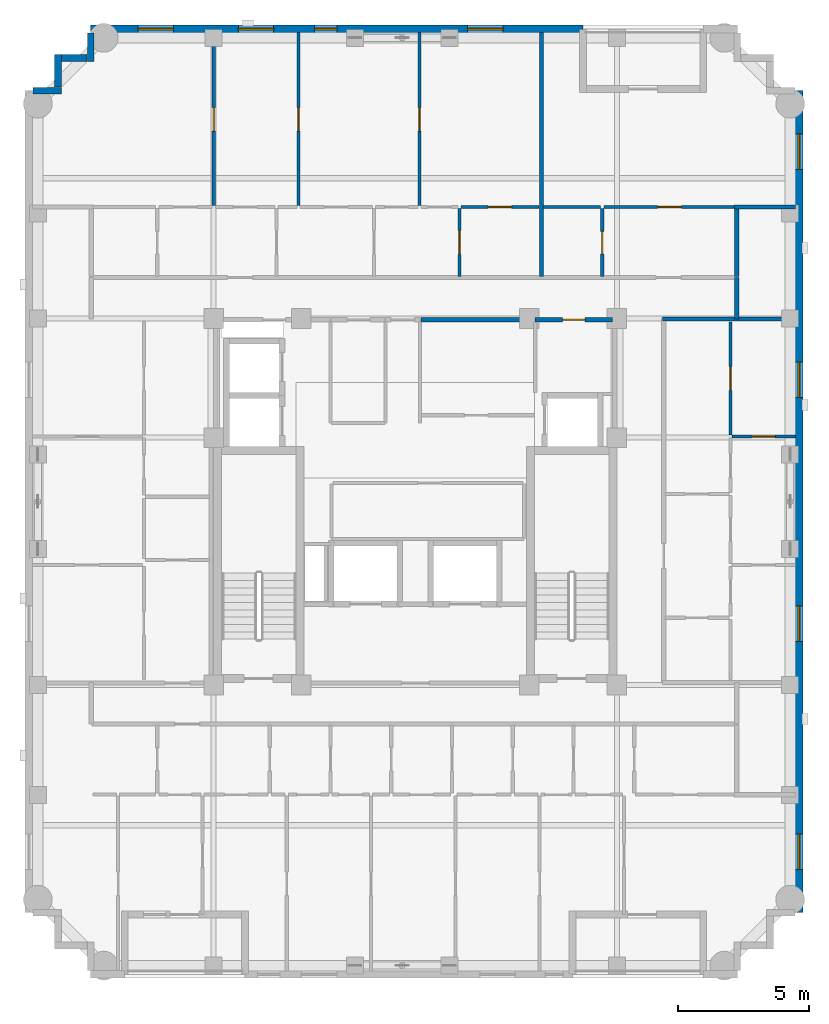
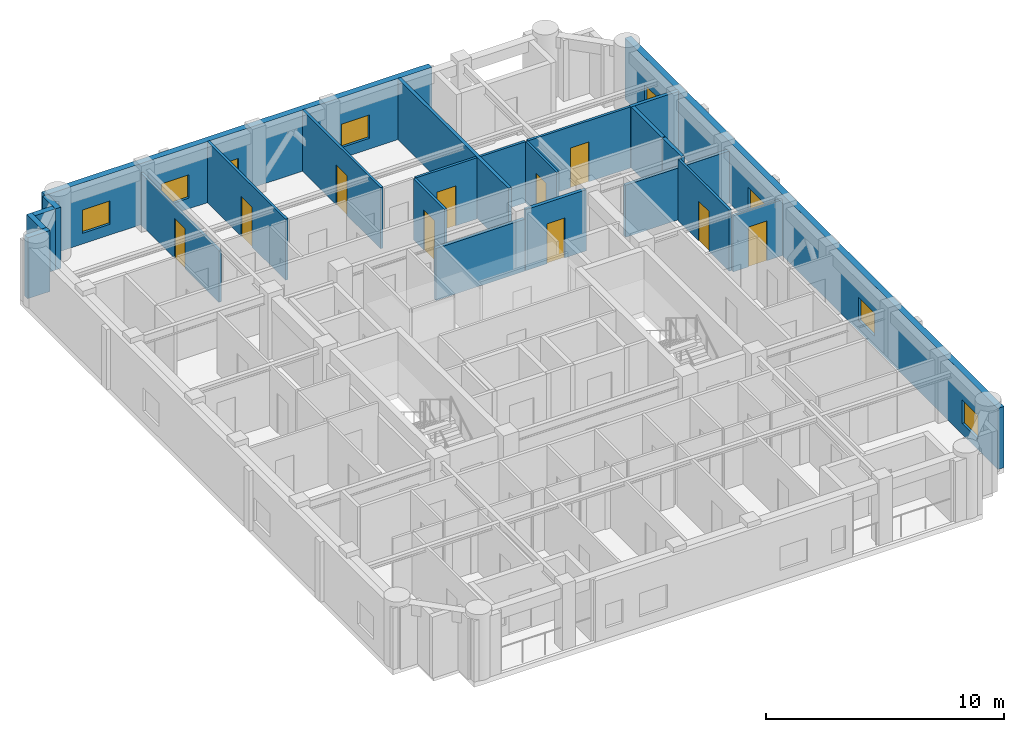
# One storey, part 7 of 11: 23 walls, 10 doors, 8 windows, 18 openings.
"""IFC4 building model written with IfcOpenShell, lengths in metres."""

import ifcopenshell
import ifcopenshell.guid

model = None  # the IFC model being written
_history = None  # IfcOwnerHistory: only IFC2X3 demands one
_inside = {}  # id of a spatial element -> (the spatial element, [elements in it])
_under = {}  # id of a project, library or spatial element -> (it, [spatial elements below it])
_declared = {}  # id of a project -> (the project, [libraries it declares])
_typed = {}  # id of a type object -> (the type object, [elements of that type])
_made_of = {}  # id of a material, layer set ... -> (it, [elements and type objects made of it])


def new_model(schema):
    """Start an empty IFC model of exactly this schema.

    Asked for "IFC4X3", IfcOpenShell would pick the latest addendum, in which some entities
    have other attributes; the version numbers below select the first issue.
    IFC2X3 requires an IfcOwnerHistory on every rooted entity: one is made here for all.
    """
    global model, _history
    if schema == "IFC4X3":
        model = ifcopenshell.file(schema_version=(4, 3, 0, 0))
    else:
        model = ifcopenshell.file(schema=schema)
    _inside.clear()
    _under.clear()
    _declared.clear()
    _typed.clear()
    _made_of.clear()
    _history = None
    if model.schema == "IFC2X3":
        org = make("IfcOrganization", Name="unknown")
        user = make(
            "IfcPersonAndOrganization",
            ThePerson=make("IfcPerson", FamilyName="unknown"),
            TheOrganization=org,
        )
        app = make(
            "IfcApplication",
            ApplicationDeveloper=org,
            Version="unknown",
            ApplicationFullName="unknown",
            ApplicationIdentifier="unknown",
        )
        _history = make(
            "IfcOwnerHistory",
            OwningUser=user,
            OwningApplication=app,
            ChangeAction="ADDED",
            CreationDate=0,
        )
    return model


def make(cls, **values):
    """One entity of the class cls with the attributes given. An attribute that is None is left unset."""
    return model.create_entity(
        cls, **{name: value for name, value in values.items() if value is not None}
    )


def rooted(cls, **values):
    """An entity with a GlobalId (a new one), such as an element, a storey or a relation."""
    return make(cls, GlobalId=ifcopenshell.guid.new(), OwnerHistory=_history, **values)


def si_unit(unit_type, name, prefix=None):
    """IfcSIUnit, for example si_unit("LENGTHUNIT", "METRE", prefix="MILLI")."""
    return make("IfcSIUnit", UnitType=unit_type, Prefix=prefix, Name=name)


def derived_unit(unit_type, elements):
    """IfcDerivedUnit: a product of units, each with its exponent."""
    return make(
        "IfcDerivedUnit",
        Elements=[
            make("IfcDerivedUnitElement", Unit=unit, Exponent=power)
            for unit, power in elements
        ],
        UnitType=unit_type,
    )


def assignment(units):
    """IfcUnitAssignment: the units of a project."""
    return None if units is None else make("IfcUnitAssignment", Units=units)


def point(xyz):
    """IfcCartesianPoint."""
    return None if xyz is None else make("IfcCartesianPoint", Coordinates=xyz)


def direction(xyz):
    """IfcDirection."""
    return None if xyz is None else make("IfcDirection", DirectionRatios=xyz)


def frame(location, z_axis=None, x_axis=None):
    """IfcAxis2Placement3D, a coordinate frame: its origin and axes. An axis left out is left unset."""
    return make(
        "IfcAxis2Placement3D",
        Location=point(location),
        Axis=direction(z_axis),
        RefDirection=direction(x_axis),
    )


def frame_2d(location, x_axis=None):
    """IfcAxis2Placement2D, a coordinate frame in the plane: its origin and x axis."""
    return make(
        "IfcAxis2Placement2D", Location=point(location), RefDirection=direction(x_axis)
    )


def origin():
    """The frame at (0, 0, 0) with its axes left unset."""
    return frame((0.0, 0.0, 0.0))


def place(relative_to, where):
    """IfcLocalPlacement: puts the frame where relative to a parent placement (None: the world)."""
    return make(
        "IfcLocalPlacement", PlacementRelTo=relative_to, RelativePlacement=where
    )


def context(
    kind, dimensions, precision=None, world=None, true_north=None, identifier=None
):
    """IfcGeometricRepresentationContext, for example the 3D "Model" context."""
    return make(
        "IfcGeometricRepresentationContext",
        ContextIdentifier=identifier,
        ContextType=kind,
        CoordinateSpaceDimension=dimensions,
        Precision=precision,
        WorldCoordinateSystem=world,
        TrueNorth=true_north,
    )


def subcontext(parent, identifier, kind, view, scale=None):
    """IfcGeometricRepresentationSubContext, for example "Body" below "Model"."""
    return make(
        "IfcGeometricRepresentationSubContext",
        ContextIdentifier=identifier,
        ContextType=kind,
        ParentContext=parent,
        TargetScale=scale,
        TargetView=view,
    )


def project(units=None, contexts=None):
    """IfcProject with its units and contexts."""
    return rooted(
        "IfcProject",
        Name="project",
        RepresentationContexts=contexts,
        UnitsInContext=assignment(units),
    )


def spatial(cls, under=None, at=None, **own):
    """A site, building, storey or space (cls), placed at a placement, below another one or the project."""
    s = rooted(cls, ObjectPlacement=at, **own)
    if under is not None:
        _under.setdefault(under.id(), (under, []))[1].append(s)
    return s


def profile(cls, at=None, kind="AREA", **sizes):
    """A parametric profile (cls). Its sizes go by their IFC names, for example OverallWidth=200.0."""
    return make(cls, ProfileType=kind, Position=at, **sizes)


def rectangle(**sizes):
    """IfcRectangleProfileDef."""
    return profile("IfcRectangleProfileDef", **sizes)


def extrude(swept, where, along, depth):
    """IfcExtrudedAreaSolid: the profile swept, set in the frame where, extruded along a direction by depth."""
    return make(
        "IfcExtrudedAreaSolid",
        SweptArea=swept,
        Position=where,
        ExtrudedDirection=direction(along),
        Depth=depth,
    )


def shape(context_of_items, identifier, shape_type, items):
    """IfcShapeRepresentation: the items that make up one representation, for example the "Body"."""
    return make(
        "IfcShapeRepresentation",
        ContextOfItems=context_of_items,
        RepresentationIdentifier=identifier,
        RepresentationType=shape_type,
        Items=items,
    )


def material(Name=None, Category=None):
    """IfcMaterial."""
    return make("IfcMaterial", Name=Name, Category=Category)


def layer(
    of_material, thickness, ventilated=None, Name=None, Category=None, Priority=None
):
    """IfcMaterialLayer: one layer of a wall or slab, of a material (None: an air gap)."""
    return make(
        "IfcMaterialLayer",
        Material=of_material,
        LayerThickness=thickness,
        IsVentilated=ventilated,
        Name=Name,
        Category=Category,
        Priority=Priority,
    )


def layer_set(layers, Name=None):
    """IfcMaterialLayerSet."""
    return make("IfcMaterialLayerSet", MaterialLayers=layers, LayerSetName=Name)


def made_of(thing, what):
    """Note that an element or type object is made of a material, layer set ...; save() writes the relation."""
    if what is not None:
        _made_of.setdefault(what.id(), (what, []))[1].append(thing)
    return thing


def type_object(cls, material=None, **own):
    """A type object (cls), such as IfcWallType, which elements share."""
    return made_of(rooted(cls, **own), material)


def element(
    cls,
    number,
    at=None,
    inside=None,
    cuts=None,
    type_object=None,
    material=None,
    context=None,
    identifier="Body",
    shape_type=None,
    held_by="IfcProductDefinitionShape",
    body=None,
    shapes=None,
    **own,
):
    """One element of the class cls, such as IfcWall. Its Tag is "e" and its number.

    at: its placement. inside: the storey or other place that contains it. cuts: it is an
    opening in that element (IfcRelVoidsElement). A single representation is given by context,
    identifier, shape_type and body (its items); several are given by shapes. held_by: the class
    of the entity that holds the representations. save() writes the other relations.
    """
    e = rooted(cls, Tag="e%d" % number, ObjectPlacement=at, **own)
    if body is not None:
        shapes = [shape(context, identifier, shape_type, body)]
    if shapes is not None:
        e.Representation = make(held_by, Representations=shapes)
    if inside is not None:
        _inside.setdefault(inside.id(), (inside, []))[1].append(e)
    if cuts is not None:
        rooted(
            "IfcRelVoidsElement", RelatingBuildingElement=cuts, RelatedOpeningElement=e
        )
    if type_object is not None:
        _typed.setdefault(type_object.id(), (type_object, []))[1].append(e)
    return made_of(e, material)


def fill(opening, filler):
    """IfcRelFillsElement: the door or window that sits in an opening."""
    return rooted(
        "IfcRelFillsElement",
        RelatingOpeningElement=opening,
        RelatedBuildingElement=filler,
    )


def aggregate(whole, parts):
    """IfcRelAggregates: a whole, such as a stair, and the parts it consists of."""
    return rooted("IfcRelAggregates", RelatingObject=whole, RelatedObjects=parts)


def save(model, path):
    """Write the relations noted so far, then the file.

    IfcRelAggregates (storeys below a building ...), IfcRelContainedInSpatialStructure (elements
    in a storey), IfcRelDefinesByType, IfcRelAssociatesMaterial and IfcRelDeclares: one each for
    every whole, place, type object, material and project.
    """
    for whole, parts in _under.values():
        aggregate(whole, parts)
    for where, things in _inside.values():
        rooted(
            "IfcRelContainedInSpatialStructure",
            RelatedElements=things,
            RelatingStructure=where,
        )
    for kind, things in _typed.values():
        rooted("IfcRelDefinesByType", RelatedObjects=things, RelatingType=kind)
    for what, things in _made_of.values():
        rooted("IfcRelAssociatesMaterial", RelatedObjects=things, RelatingMaterial=what)
    for by, libraries in _declared.values():
        rooted("IfcRelDeclares", RelatingContext=by, RelatedDefinitions=libraries)
    model.write(path)


model = new_model("IFC4")

# Units and contexts
model_context = context("Model", 3, precision=1e-05, world=origin(), true_north=direction((0.0, 1.0)))
body_context = subcontext(model_context, "Body", "Model", "MODEL_VIEW")
ifc_project = project(units=[si_unit("LENGTHUNIT", "METRE"), si_unit("AREAUNIT", "SQUARE_METRE"), si_unit("VOLUMEUNIT", "CUBIC_METRE"), si_unit("PLANEANGLEUNIT", "RADIAN"), si_unit("MASSUNIT", "GRAM", prefix="KILO"), derived_unit("THERMALTRANSMITTANCEUNIT", [(si_unit("MASSUNIT", "GRAM", prefix="KILO"), 1), (si_unit("TIMEUNIT", "SECOND"), -3), (si_unit("THERMODYNAMICTEMPERATUREUNIT", "KELVIN"), -1)])], contexts=[model_context])

# Site, building, storey
site_placement = place(None, origin())
site = spatial("IfcSite", under=ifc_project, at=site_placement, CompositionType="ELEMENT")
building_placement = place(site_placement, origin())
building = spatial("IfcBuilding", under=site, at=building_placement, Name="Korrvale Station Residences", CompositionType="ELEMENT")
storey_placement = place(building_placement, frame((0.0, 0.0, 227.5)))
storey = spatial("IfcBuildingStorey", under=building, at=storey_placement, Name="L66", CompositionType="ELEMENT", Elevation=227.5)

# Walls
ifc_material_1 = material(Name="Precast concrete C45/55", Category="concrete")
ifc_layer_1 = layer(ifc_material_1, 0.260009765625, Name="Precast concrete C45/55")
ifc_layer_set_1 = layer_set([ifc_layer_1], Name="Precast concrete C45/55")
wall_type_1 = type_object("IfcWallType", Name="WAL-EXT-LOG260", PredefinedType="SOLIDWALL", material=ifc_layer_set_1)
wall_1_placement = place(storey_placement, frame((10.902099609375, 37.699951171875, 0.0), z_axis=(0.0, 0.0, 1.0), x_axis=(1.0, 0.0, 0.0)))
element("IfcWall", 1, at=wall_1_placement, inside=storey, type_object=wall_type_1, Name="L66 Serrated Corner Precast Step NW-1", PredefinedType="SOLIDWALL", context=body_context, shape_type="SweptSolid", body=[
    extrude(rectangle(XDim=1.077880859375, YDim=0.260009765625, at=frame_2d((0.5390625, 0.0))), origin(), (0.0, 0.0, 1.0), 3.139892578125),
])
wall_2_placement = place(storey_placement, frame((11.85009765625, 37.83203125, 0.0), z_axis=(0.0, 0.0, 1.0), x_axis=(0.0, 1.0, 0.0)))
element("IfcWall", 2, at=wall_2_placement, inside=storey, type_object=wall_type_1, Name="L66 Serrated Corner Precast Step NW-2", PredefinedType="SOLIDWALL", context=body_context, shape_type="SweptSolid", body=[
    extrude(rectangle(XDim=1.248046875, YDim=0.260009765625, at=frame_2d((0.6240234375, 0.0))), origin(), (0.0, 0.0, 1.0), 3.139892578125),
])
wall_3_placement = place(storey_placement, frame((11.98193359375, 38.949951171875, 0.0), z_axis=(0.0, 0.0, 1.0), x_axis=(1.0, 0.0, 0.0)))
element("IfcWall", 3, at=wall_3_placement, inside=storey, type_object=wall_type_1, Name="L66 Serrated Corner Precast Step NW-3", PredefinedType="SOLIDWALL", context=body_context, shape_type="SweptSolid", body=[
    extrude(rectangle(XDim=0.986083984375, YDim=0.260009765625, at=frame_2d((0.4931640625, 0.0))), origin(), (0.0, 0.0, 1.0), 3.139892578125),
])
wall_4_placement = place(storey_placement, frame((13.10009765625, 38.820068359375, 0.0), z_axis=(0.0, 0.0, 1.0), x_axis=(0.0, 1.0, 0.0)))
element("IfcWall", 4, at=wall_4_placement, inside=storey, type_object=wall_type_1, Name="L66 Serrated Corner Precast Step NW-4", PredefinedType="SOLIDWALL", context=body_context, shape_type="SweptSolid", body=[
    extrude(rectangle(XDim=1.077880859375, YDim=0.260009765625, at=frame_2d((0.5390625, 0.0))), origin(), (0.0, 0.0, 1.0), 3.139892578125),
])

# Wall, openings, windows
ifc_layer_2 = layer(ifc_material_1, 0.300048828125, Name="Precast concrete C45/55")
ifc_layer_set_2 = layer_set([ifc_layer_2], Name="Precast concrete C45/55")
wall_type_2 = type_object("IfcWallType", Name="WAL-EXT-PC300", PredefinedType="SOLIDWALL", material=ifc_layer_set_2)
wall_5_placement = place(storey_placement, frame((13.10009765625, 40.050048828125, 0.0), z_axis=(0.0, 0.0, 1.0), x_axis=(1.0, 0.0, 0.0)))
wall_5 = element("IfcWall", 5, at=wall_5_placement, inside=storey, type_object=wall_type_2, Name="L66 North Exterior Precast Wall 1", PredefinedType="SOLIDWALL", context=body_context, shape_type="SweptSolid", body=[
    extrude(rectangle(XDim=18.7998046875, YDim=0.300048828125, at=frame_2d((9.39990234375, 0.0))), origin(), (0.0, 0.0, 1.0), 3.139892578125),
])
opening_1_placement = place(wall_5_placement, frame((1.805908203125, 0.0, 0.550048828125)))
opening_1 = element("IfcOpeningElement", 6, at=opening_1_placement, cuts=wall_5, Name="Opening W-10", PredefinedType="OPENING", context=body_context, shape_type="SweptSolid", body=[
    extrude(rectangle(XDim=1.35009765625, YDim=1.199951171875, at=frame_2d((0.675048828125, 0.60009765625))), frame((0.0, 0.16015625, 0.0), z_axis=(0.0, -1.0, 0.0), x_axis=(1.0, 0.0, 0.0)), (0.0, 0.0, 1.0), 0.320068359375),
])
opening_2_placement = place(wall_5_placement, frame((5.64111328125, 0.0, 0.550048828125)))
opening_2 = element("IfcOpeningElement", 7, at=opening_2_placement, cuts=wall_5, Name="Opening W-10", PredefinedType="OPENING", context=body_context, shape_type="SweptSolid", body=[
    extrude(rectangle(XDim=1.35009765625, YDim=1.199951171875, at=frame_2d((0.675048828125, 0.60009765625))), frame((0.0, 0.16015625, 0.0), z_axis=(0.0, -1.0, 0.0), x_axis=(1.0, 0.0, 0.0)), (0.0, 0.0, 1.0), 0.320068359375),
])
opening_3_placement = place(wall_5_placement, frame((8.550048828125, 0.0, 0.550048828125)))
opening_3 = element("IfcOpeningElement", 8, at=opening_3_placement, cuts=wall_5, Name="Opening W-11", PredefinedType="OPENING", context=body_context, shape_type="SweptSolid", body=[
    extrude(rectangle(XDim=0.85009765625, YDim=1.199951171875, at=frame_2d((0.425048828125, 0.60009765625))), frame((0.0, 0.16015625, 0.0), z_axis=(0.0, -1.0, 0.0), x_axis=(1.0, 0.0, 0.0)), (0.0, 0.0, 1.0), 0.320068359375),
])
opening_4_placement = place(wall_5_placement, frame((14.39990234375, 0.0, 0.550048828125)))
opening_4 = element("IfcOpeningElement", 9, at=opening_4_placement, cuts=wall_5, Name="Opening W-10", PredefinedType="OPENING", context=body_context, shape_type="SweptSolid", body=[
    extrude(rectangle(XDim=1.35009765625, YDim=1.199951171875, at=frame_2d((0.675048828125, 0.60009765625))), frame((0.0, 0.16015625, 0.0), z_axis=(0.0, -1.0, 0.0), x_axis=(1.0, 0.0, 0.0)), (0.0, 0.0, 1.0), 0.320068359375),
])
ifc_material_2 = material(Name="Thermally broken aluminium frame with triple low-e glazing", Category="aluminium")
window_type_1 = type_object("IfcWindowType", Name="WIN-W10", PartitioningType="SINGLE_PANEL", PredefinedType="WINDOW", material=ifc_material_2)
window_1_placement = place(opening_1_placement, origin())
window_1 = element("IfcWindow", 10, at=window_1_placement, inside=storey, type_object=window_type_1, Name="L66 Punched Window 08", OverallHeight=1.199951171875, OverallWidth=1.35009765625, PartitioningType="SINGLE_PANEL", PredefinedType="WINDOW", context=body_context, shape_type="SweptSolid", body=[
    extrude(rectangle(XDim=1.35009765625, YDim=1.199951171875, at=frame_2d((0.675048828125, 0.60009765625))), frame((0.0, 0.030029296875, 0.0), z_axis=(0.0, -1.0, 0.0), x_axis=(1.0, 0.0, 0.0)), (0.0, 0.0, 1.0), 0.06005859375),
])
fill(opening_1, window_1)
window_2_placement = place(opening_2_placement, origin())
window_2 = element("IfcWindow", 11, at=window_2_placement, inside=storey, type_object=window_type_1, Name="L66 Punched Window 09", OverallHeight=1.199951171875, OverallWidth=1.35009765625, PartitioningType="SINGLE_PANEL", PredefinedType="WINDOW", context=body_context, shape_type="SweptSolid", body=[
    extrude(rectangle(XDim=1.35009765625, YDim=1.199951171875, at=frame_2d((0.675048828125, 0.60009765625))), frame((0.0, 0.030029296875, 0.0), z_axis=(0.0, -1.0, 0.0), x_axis=(1.0, 0.0, 0.0)), (0.0, 0.0, 1.0), 0.06005859375),
])
fill(opening_2, window_2)
window_3_placement = place(opening_4_placement, origin())
window_3 = element("IfcWindow", 12, at=window_3_placement, inside=storey, type_object=window_type_1, Name="L66 Punched Window 11", OverallHeight=1.199951171875, OverallWidth=1.35009765625, PartitioningType="SINGLE_PANEL", PredefinedType="WINDOW", context=body_context, shape_type="SweptSolid", body=[
    extrude(rectangle(XDim=1.35009765625, YDim=1.199951171875, at=frame_2d((0.675048828125, 0.60009765625))), frame((0.0, 0.030029296875, 0.0), z_axis=(0.0, -1.0, 0.0), x_axis=(1.0, 0.0, 0.0)), (0.0, 0.0, 1.0), 0.06005859375),
])
fill(opening_4, window_3)
window_type_2 = type_object("IfcWindowType", Name="WIN-W11", PartitioningType="SINGLE_PANEL", PredefinedType="WINDOW", material=ifc_material_2)
window_4_placement = place(opening_3_placement, origin())
window_4 = element("IfcWindow", 13, at=window_4_placement, inside=storey, type_object=window_type_2, Name="L66 Punched Window 10", OverallHeight=1.199951171875, OverallWidth=0.85009765625, PartitioningType="SINGLE_PANEL", PredefinedType="WINDOW", context=body_context, shape_type="SweptSolid", body=[
    extrude(rectangle(XDim=0.85009765625, YDim=1.199951171875, at=frame_2d((0.425048828125, 0.60009765625))), frame((0.0, 0.030029296875, 0.0), z_axis=(0.0, -1.0, 0.0), x_axis=(1.0, 0.0, 0.0)), (0.0, 0.0, 1.0), 0.06005859375),
])
fill(opening_3, window_4)

wall_6_placement = place(storey_placement, frame((40.14990234375, 37.699951171875, 0.0), z_axis=(0.0, 0.0, 1.0), x_axis=(0.0, -1.0, 0.0)))
wall_6 = element("IfcWall", 14, at=wall_6_placement, inside=storey, type_object=wall_type_2, Name="L66 East Exterior Precast Wall 1", PredefinedType="SOLIDWALL", context=body_context, shape_type="SweptSolid", body=[
    extrude(rectangle(XDim=31.39990234375, YDim=0.300048828125, at=frame_2d((15.699951171875, 0.0))), origin(), (0.0, 0.0, 1.0), 3.139892578125),
])
opening_5_placement = place(wall_6_placement, frame((28.39599609375, 0.0, 0.550048828125)))
opening_5 = element("IfcOpeningElement", 15, at=opening_5_placement, cuts=wall_6, Name="Opening W-10", PredefinedType="OPENING", context=body_context, shape_type="SweptSolid", body=[
    extrude(rectangle(XDim=1.35009765625, YDim=1.199951171875, at=frame_2d((0.675048828125, 0.60009765625))), frame((0.0, 0.16015625, 0.0), z_axis=(0.0, -1.0, 0.0), x_axis=(1.0, 0.0, 0.0)), (0.0, 0.0, 1.0), 0.320068359375),
])
opening_6_placement = place(wall_6_placement, frame((1.653076171875, 0.0, 0.550048828125)))
opening_6 = element("IfcOpeningElement", 16, at=opening_6_placement, cuts=wall_6, Name="Opening W-10", PredefinedType="OPENING", context=body_context, shape_type="SweptSolid", body=[
    extrude(rectangle(XDim=1.35009765625, YDim=1.199951171875, at=frame_2d((0.675048828125, 0.60009765625))), frame((0.0, 0.16015625, 0.0), z_axis=(0.0, -1.0, 0.0), x_axis=(1.0, 0.0, 0.0)), (0.0, 0.0, 1.0), 0.320068359375),
])
opening_7_placement = place(wall_6_placement, frame((19.68310546875, 0.0, 0.550048828125)))
opening_7 = element("IfcOpeningElement", 17, at=opening_7_placement, cuts=wall_6, Name="Opening W-10", PredefinedType="OPENING", context=body_context, shape_type="SweptSolid", body=[
    extrude(rectangle(XDim=1.35009765625, YDim=1.199951171875, at=frame_2d((0.675048828125, 0.60009765625))), frame((0.0, 0.16015625, 0.0), z_axis=(0.0, -1.0, 0.0), x_axis=(1.0, 0.0, 0.0)), (0.0, 0.0, 1.0), 0.320068359375),
])
opening_8_placement = place(wall_6_placement, frame((10.366943359375, 0.0, 0.550048828125)))
opening_8 = element("IfcOpeningElement", 18, at=opening_8_placement, cuts=wall_6, Name="Opening W-10", PredefinedType="OPENING", context=body_context, shape_type="SweptSolid", body=[
    extrude(rectangle(XDim=1.35009765625, YDim=1.199951171875, at=frame_2d((0.675048828125, 0.60009765625))), frame((0.0, 0.16015625, 0.0), z_axis=(0.0, -1.0, 0.0), x_axis=(1.0, 0.0, 0.0)), (0.0, 0.0, 1.0), 0.320068359375),
])
window_5_placement = place(opening_5_placement, origin())
window_5 = element("IfcWindow", 19, at=window_5_placement, inside=storey, type_object=window_type_1, Name="L66 Punched Window 07", OverallHeight=1.199951171875, OverallWidth=1.35009765625, PartitioningType="SINGLE_PANEL", PredefinedType="WINDOW", context=body_context, shape_type="SweptSolid", body=[
    extrude(rectangle(XDim=1.35009765625, YDim=1.199951171875, at=frame_2d((0.675048828125, 0.60009765625))), frame((0.0, 0.030029296875, 0.0), z_axis=(0.0, -1.0, 0.0), x_axis=(1.0, 0.0, 0.0)), (0.0, 0.0, 1.0), 0.06005859375),
])
fill(opening_5, window_5)
window_6_placement = place(opening_6_placement, origin())
window_6 = element("IfcWindow", 20, at=window_6_placement, inside=storey, type_object=window_type_1, Name="L66 Punched Window 12", OverallHeight=1.199951171875, OverallWidth=1.35009765625, PartitioningType="SINGLE_PANEL", PredefinedType="WINDOW", context=body_context, shape_type="SweptSolid", body=[
    extrude(rectangle(XDim=1.35009765625, YDim=1.199951171875, at=frame_2d((0.675048828125, 0.60009765625))), frame((0.0, 0.030029296875, 0.0), z_axis=(0.0, -1.0, 0.0), x_axis=(1.0, 0.0, 0.0)), (0.0, 0.0, 1.0), 0.06005859375),
])
fill(opening_6, window_6)
window_7_placement = place(opening_7_placement, origin())
window_7 = element("IfcWindow", 21, at=window_7_placement, inside=storey, type_object=window_type_1, Name="L66 Punched Window 15", OverallHeight=1.199951171875, OverallWidth=1.35009765625, PartitioningType="SINGLE_PANEL", PredefinedType="WINDOW", context=body_context, shape_type="SweptSolid", body=[
    extrude(rectangle(XDim=1.35009765625, YDim=1.199951171875, at=frame_2d((0.675048828125, 0.60009765625))), frame((0.0, 0.030029296875, 0.0), z_axis=(0.0, -1.0, 0.0), x_axis=(1.0, 0.0, 0.0)), (0.0, 0.0, 1.0), 0.06005859375),
])
fill(opening_7, window_7)
window_8_placement = place(opening_8_placement, origin())
window_8 = element("IfcWindow", 22, at=window_8_placement, inside=storey, type_object=window_type_1, Name="L66 Punched Window 16", OverallHeight=1.199951171875, OverallWidth=1.35009765625, PartitioningType="SINGLE_PANEL", PredefinedType="WINDOW", context=body_context, shape_type="SweptSolid", body=[
    extrude(rectangle(XDim=1.35009765625, YDim=1.199951171875, at=frame_2d((0.675048828125, 0.60009765625))), frame((0.0, 0.030029296875, 0.0), z_axis=(0.0, -1.0, 0.0), x_axis=(1.0, 0.0, 0.0)), (0.0, 0.0, 1.0), 0.06005859375),
])
fill(opening_8, window_8)

# Wall, opening, door
ifc_material_3 = material(Name="Acoustic steel-stud gypsum board partition", Category="steel")
ifc_layer_3 = layer(ifc_material_3, 0.1201171875, Name="Acoustic steel-stud gypsum board partition")
ifc_layer_set_3 = layer_set([ifc_layer_3], Name="Acoustic steel-stud gypsum board partition")
wall_type_3 = type_object("IfcWallType", Name="WAL-PART-125", PredefinedType="PARTITIONING", material=ifc_layer_set_3)
wall_7_placement = place(storey_placement, frame((27.18994140625, 30.60009765625, 0.0), z_axis=(0.0, 0.0, 1.0), x_axis=(0.0, 1.0, 0.0)))
wall_7 = element("IfcWall", 23, at=wall_7_placement, inside=storey, type_object=wall_type_3, Name="L66 Suite Partition U02-V34", PredefinedType="PARTITIONING", context=body_context, shape_type="SweptSolid", body=[
    extrude(rectangle(XDim=2.599853515625, YDim=0.1201171875, at=frame_2d((1.2998046875, 0.0))), origin(), (0.0, 0.0, 1.0), 3.139892578125),
])
opening_9_placement = place(wall_7_placement, frame((0.85009765625, 0.0, 0.0)))
opening_9 = element("IfcOpeningElement", 24, at=opening_9_placement, cuts=wall_7, Name="Opening DI-900", PredefinedType="OPENING", context=body_context, shape_type="SweptSolid", body=[
    extrude(rectangle(XDim=0.89990234375, YDim=2.050048828125, at=frame_2d((0.449951171875, 1.02490234375))), frame((0.0, 0.070068359375, 0.0), z_axis=(0.0, -1.0, 0.0), x_axis=(1.0, 0.0, 0.0)), (0.0, 0.0, 1.0), 0.14013671875),
])
ifc_material_4 = material(Name="Painted solid-core timber interior room door", Category="wood")
door_type_1 = type_object("IfcDoorType", Name="DR-INT-900", OperationType="NOTDEFINED", PredefinedType="DOOR", material=ifc_material_4)
door_1_placement = place(opening_9_placement, origin())
door_1 = element("IfcDoor", 25, at=door_1_placement, inside=storey, type_object=door_type_1, Name="L66 Apartment 2BR L66-U02 Storage Closet 2 Door", OperationType="SINGLE_SWING_LEFT", OverallHeight=2.050048828125, OverallWidth=0.89990234375, PredefinedType="DOOR", context=body_context, shape_type="SweptSolid", body=[
    extrude(rectangle(XDim=0.89990234375, YDim=2.050048828125, at=frame_2d((0.449951171875, 1.02490234375))), frame((0.0, 0.02490234375, 0.0), z_axis=(0.0, -1.0, 0.0), x_axis=(1.0, 0.0, 0.0)), (0.0, 0.0, 1.0), 0.050048828125),
])
fill(opening_9, door_1)

wall_8_placement = place(storey_placement, frame((27.25, 33.260009765625, 0.0), z_axis=(0.0, 0.0, 1.0), x_axis=(1.0, 0.0, 0.0)))
wall_8 = element("IfcWall", 26, at=wall_8_placement, inside=storey, type_object=wall_type_3, Name="L66 Suite Partition U02-H48", PredefinedType="PARTITIONING", context=body_context, shape_type="SweptSolid", body=[
    extrude(rectangle(XDim=2.967041015625, YDim=0.1201171875, at=frame_2d((1.4833984375, 0.0))), origin(), (0.0, 0.0, 1.0), 3.139892578125),
])
opening_10_placement = place(wall_8_placement, frame((1.032958984375, 0.0, 0.0)))
opening_10 = element("IfcOpeningElement", 27, at=opening_10_placement, cuts=wall_8, Name="Opening DI-900", PredefinedType="OPENING", context=body_context, shape_type="SweptSolid", body=[
    extrude(rectangle(XDim=0.89990234375, YDim=2.050048828125, at=frame_2d((0.449951171875, 1.02490234375))), frame((0.0, 0.070068359375, 0.0), z_axis=(0.0, -1.0, 0.0), x_axis=(1.0, 0.0, 0.0)), (0.0, 0.0, 1.0), 0.14013671875),
])
door_2_placement = place(opening_10_placement, origin())
door_2 = element("IfcDoor", 28, at=door_2_placement, inside=storey, type_object=door_type_1, Name="L66 Apartment 2BR L66-U02 Storage Closet 3 Door", OperationType="SINGLE_SWING_RIGHT", OverallHeight=2.050048828125, OverallWidth=0.89990234375, PredefinedType="DOOR", context=body_context, shape_type="SweptSolid", body=[
    extrude(rectangle(XDim=0.89990234375, YDim=2.050048828125, at=frame_2d((0.449951171875, 1.02490234375))), frame((0.0, 0.02490234375, 0.0), z_axis=(0.0, -1.0, 0.0), x_axis=(1.0, 0.0, 0.0)), (0.0, 0.0, 1.0), 0.050048828125),
])
fill(opening_10, door_2)

wall_9_placement = place(storey_placement, frame((17.800048828125, 33.320068359375, 0.0), z_axis=(0.0, 0.0, 1.0), x_axis=(0.0, 1.0, 0.0)))
wall_9 = element("IfcWall", 29, at=wall_9_placement, inside=storey, type_object=wall_type_3, Name="L66 Suite Partition U02-V56", PredefinedType="PARTITIONING", context=body_context, shape_type="SweptSolid", body=[
    extrude(rectangle(XDim=6.599853515625, YDim=0.1201171875, at=frame_2d((3.2998046875, 0.0))), origin(), (0.0, 0.0, 1.0), 2.66796875),
])
opening_11_placement = place(wall_9_placement, frame((2.8349609375, 0.0, 0.0)))
opening_11 = element("IfcOpeningElement", 30, at=opening_11_placement, cuts=wall_9, Name="Opening DI-900", PredefinedType="OPENING", context=body_context, shape_type="SweptSolid", body=[
    extrude(rectangle(XDim=0.89990234375, YDim=2.050048828125, at=frame_2d((0.449951171875, 1.02490234375))), frame((0.0, 0.070068359375, 0.0), z_axis=(0.0, -1.0, 0.0), x_axis=(1.0, 0.0, 0.0)), (0.0, 0.0, 1.0), 0.14013671875),
])
door_3_placement = place(opening_11_placement, origin())
door_3 = element("IfcDoor", 31, at=door_3_placement, inside=storey, type_object=door_type_1, Name="L66 Apartment 2BR L66-U02 Living and Dining Room Door", OperationType="SINGLE_SWING_LEFT", OverallHeight=2.050048828125, OverallWidth=0.89990234375, PredefinedType="DOOR", context=body_context, shape_type="SweptSolid", body=[
    extrude(rectangle(XDim=0.89990234375, YDim=2.050048828125, at=frame_2d((0.449951171875, 1.02490234375))), frame((0.0, 0.02490234375, 0.0), z_axis=(0.0, -1.0, 0.0), x_axis=(1.0, 0.0, 0.0)), (0.0, 0.0, 1.0), 0.050048828125),
])
fill(opening_11, door_3)

wall_10_placement = place(storey_placement, frame((21.037109375, 33.320068359375, 0.0), z_axis=(0.0, 0.0, 1.0), x_axis=(0.0, 1.0, 0.0)))
wall_10 = element("IfcWall", 32, at=wall_10_placement, inside=storey, type_object=wall_type_3, Name="L66 Suite Partition U02-V67", PredefinedType="PARTITIONING", context=body_context, shape_type="SweptSolid", body=[
    extrude(rectangle(XDim=6.599853515625, YDim=0.1201171875, at=frame_2d((3.2998046875, 0.0))), origin(), (0.0, 0.0, 1.0), 3.139892578125),
])
opening_12_placement = place(wall_10_placement, frame((2.8349609375, 0.0, 0.0)))
opening_12 = element("IfcOpeningElement", 33, at=opening_12_placement, cuts=wall_10, Name="Opening DI-900", PredefinedType="OPENING", context=body_context, shape_type="SweptSolid", body=[
    extrude(rectangle(XDim=0.89990234375, YDim=2.050048828125, at=frame_2d((0.449951171875, 1.02490234375))), frame((0.0, 0.070068359375, 0.0), z_axis=(0.0, -1.0, 0.0), x_axis=(1.0, 0.0, 0.0)), (0.0, 0.0, 1.0), 0.14013671875),
])
door_4_placement = place(opening_12_placement, origin())
door_4 = element("IfcDoor", 34, at=door_4_placement, inside=storey, type_object=door_type_1, Name="L66 Apartment 2BR L66-U02 Formal Dining Room Door", OperationType="SINGLE_SWING_RIGHT", OverallHeight=2.050048828125, OverallWidth=0.89990234375, PredefinedType="DOOR", context=body_context, shape_type="SweptSolid", body=[
    extrude(rectangle(XDim=0.89990234375, YDim=2.050048828125, at=frame_2d((0.449951171875, 1.02490234375))), frame((0.0, 0.02490234375, 0.0), z_axis=(0.0, -1.0, 0.0), x_axis=(1.0, 0.0, 0.0)), (0.0, 0.0, 1.0), 0.050048828125),
])
fill(opening_12, door_4)

wall_11_placement = place(storey_placement, frame((25.656982421875, 33.320068359375, 0.0), z_axis=(0.0, 0.0, 1.0), x_axis=(0.0, 1.0, 0.0)))
wall_11 = element("IfcWall", 35, at=wall_11_placement, inside=storey, type_object=wall_type_3, Name="L66 Suite Partition U02-V78", PredefinedType="PARTITIONING", context=body_context, shape_type="SweptSolid", body=[
    extrude(rectangle(XDim=6.599853515625, YDim=0.1201171875, at=frame_2d((3.2998046875, 0.0))), origin(), (0.0, 0.0, 1.0), 3.139892578125),
])
opening_13_placement = place(wall_11_placement, frame((2.8349609375, 0.0, 0.0)))
opening_13 = element("IfcOpeningElement", 36, at=opening_13_placement, cuts=wall_11, Name="Opening DI-900", PredefinedType="OPENING", context=body_context, shape_type="SweptSolid", body=[
    extrude(rectangle(XDim=0.89990234375, YDim=2.050048828125, at=frame_2d((0.449951171875, 1.02490234375))), frame((0.0, 0.070068359375, 0.0), z_axis=(0.0, -1.0, 0.0), x_axis=(1.0, 0.0, 0.0)), (0.0, 0.0, 1.0), 0.14013671875),
])
door_5_placement = place(opening_13_placement, origin())
door_5 = element("IfcDoor", 37, at=door_5_placement, inside=storey, type_object=door_type_1, Name="L66 Apartment 2BR L66-U02 Bedroom 1 Door", OperationType="SINGLE_SWING_LEFT", OverallHeight=2.050048828125, OverallWidth=0.89990234375, PredefinedType="DOOR", context=body_context, shape_type="SweptSolid", body=[
    extrude(rectangle(XDim=0.89990234375, YDim=2.050048828125, at=frame_2d((0.449951171875, 1.02490234375))), frame((0.0, 0.02490234375, 0.0), z_axis=(0.0, -1.0, 0.0), x_axis=(1.0, 0.0, 0.0)), (0.0, 0.0, 1.0), 0.050048828125),
])
fill(opening_13, door_5)

wall_12_placement = place(storey_placement, frame((32.639892578125, 30.60009765625, 0.0), z_axis=(0.0, 0.0, 1.0), x_axis=(0.0, 1.0, 0.0)))
wall_12 = element("IfcWall", 38, at=wall_12_placement, inside=storey, type_object=wall_type_3, Name="L66 Suite Partition U03-V01", PredefinedType="PARTITIONING", context=body_context, shape_type="SweptSolid", body=[
    extrude(rectangle(XDim=2.599853515625, YDim=0.1201171875, at=frame_2d((1.2998046875, 0.0))), origin(), (0.0, 0.0, 1.0), 3.139892578125),
])
opening_14_placement = place(wall_12_placement, frame((0.8701171875, 0.0, 0.0)))
opening_14 = element("IfcOpeningElement", 39, at=opening_14_placement, cuts=wall_12, Name="Opening DB-860", PredefinedType="OPENING", context=body_context, shape_type="SweptSolid", body=[
    extrude(rectangle(XDim=0.860107421875, YDim=2.050048828125, at=frame_2d((0.43017578125, 1.02490234375))), frame((0.0, 0.070068359375, 0.0), z_axis=(0.0, -1.0, 0.0), x_axis=(1.0, 0.0, 0.0)), (0.0, 0.0, 1.0), 0.14013671875),
])
ifc_material_5 = material(Name="Moisture-resistant solid-core bathroom door", Category="timber")
door_type_2 = type_object("IfcDoorType", Name="DR-BATH-860", OperationType="NOTDEFINED", PredefinedType="DOOR", material=ifc_material_5)
door_6_placement = place(opening_14_placement, origin())
door_6 = element("IfcDoor", 40, at=door_6_placement, inside=storey, type_object=door_type_2, Name="L66 Studio Apartment L66-U03 Bathroom Door", OperationType="SINGLE_SWING_RIGHT", OverallHeight=2.050048828125, OverallWidth=0.860107421875, PredefinedType="DOOR", context=body_context, shape_type="SweptSolid", body=[
    extrude(rectangle(XDim=0.860107421875, YDim=2.050048828125, at=frame_2d((0.43017578125, 1.02490234375))), frame((0.0, 0.02490234375, 0.0), z_axis=(0.0, -1.0, 0.0), x_axis=(1.0, 0.0, 0.0)), (0.0, 0.0, 1.0), 0.050048828125),
])
fill(opening_14, door_6)

# Wall
wall_13_placement = place(storey_placement, frame((30.376953125, 33.260009765625, 0.0), z_axis=(0.0, 0.0, 1.0), x_axis=(1.0, 0.0, 0.0)))
element("IfcWall", 41, at=wall_13_placement, inside=storey, type_object=wall_type_3, Name="L66 Suite Partition U03-H02", PredefinedType="PARTITIONING", context=body_context, shape_type="SweptSolid", body=[
    extrude(rectangle(XDim=2.203125, YDim=0.1201171875, at=frame_2d((1.1015625, 0.0))), origin(), (0.0, 0.0, 1.0), 3.139892578125),
])

# Wall, opening, door
wall_14_placement = place(storey_placement, frame((32.699951171875, 33.260009765625, 0.0), z_axis=(0.0, 0.0, 1.0), x_axis=(1.0, 0.0, 0.0)))
wall_14 = element("IfcWall", 42, at=wall_14_placement, inside=storey, type_object=wall_type_3, Name="L66 Suite Partition U03-H12", PredefinedType="PARTITIONING", context=body_context, shape_type="SweptSolid", body=[
    extrude(rectangle(XDim=5.02001953125, YDim=0.1201171875, at=frame_2d((2.510009765625, 0.0))), origin(), (0.0, 0.0, 1.0), 3.139892578125),
])
opening_15_placement = place(wall_14_placement, frame((2.06005859375, 0.0, 0.0)))
opening_15 = element("IfcOpeningElement", 43, at=opening_15_placement, cuts=wall_14, Name="Opening DI-900", PredefinedType="OPENING", context=body_context, shape_type="SweptSolid", body=[
    extrude(rectangle(XDim=0.89990234375, YDim=2.050048828125, at=frame_2d((0.449951171875, 1.02490234375))), frame((0.0, 0.070068359375, 0.0), z_axis=(0.0, -1.0, 0.0), x_axis=(1.0, 0.0, 0.0)), (0.0, 0.0, 1.0), 0.14013671875),
])
door_7_placement = place(opening_15_placement, origin())
door_7 = element("IfcDoor", 44, at=door_7_placement, inside=storey, type_object=door_type_1, Name="L66 Studio Apartment L66-U03 Kitchen Door", OperationType="SINGLE_SWING_LEFT", OverallHeight=2.050048828125, OverallWidth=0.89990234375, PredefinedType="DOOR", context=body_context, shape_type="SweptSolid", body=[
    extrude(rectangle(XDim=0.89990234375, YDim=2.050048828125, at=frame_2d((0.449951171875, 1.02490234375))), frame((0.0, 0.02490234375, 0.0), z_axis=(0.0, -1.0, 0.0), x_axis=(1.0, 0.0, 0.0)), (0.0, 0.0, 1.0), 0.050048828125),
])
fill(opening_15, door_7)

wall_15_placement = place(storey_placement, frame((37.5400390625, 24.552001953125, 0.0), z_axis=(0.0, 0.0, 1.0), x_axis=(0.0, 1.0, 0.0)))
wall_15 = element("IfcWall", 45, at=wall_15_placement, inside=storey, type_object=wall_type_3, Name="L66 Suite Partition U05-V05", PredefinedType="PARTITIONING", context=body_context, shape_type="SweptSolid", body=[
    extrude(rectangle(XDim=4.30810546875, YDim=0.1201171875, at=frame_2d((2.154052734375, 0.0))), origin(), (0.0, 0.0, 1.0), 3.139892578125),
])
opening_16_placement = place(wall_15_placement, frame((1.7041015625, 0.0, 0.0)))
opening_16 = element("IfcOpeningElement", 46, at=opening_16_placement, cuts=wall_15, Name="Opening DI-900", PredefinedType="OPENING", context=body_context, shape_type="SweptSolid", body=[
    extrude(rectangle(XDim=0.89990234375, YDim=2.050048828125, at=frame_2d((0.449951171875, 1.02490234375))), frame((0.0, 0.070068359375, 0.0), z_axis=(0.0, -1.0, 0.0), x_axis=(1.0, 0.0, 0.0)), (0.0, 0.0, 1.0), 0.14013671875),
])
door_8_placement = place(opening_16_placement, origin())
door_8 = element("IfcDoor", 47, at=door_8_placement, inside=storey, type_object=door_type_1, Name="L66 Apartment 2BR L66-U05 Wardrobe Storage Room Door", OperationType="SINGLE_SWING_LEFT", OverallHeight=2.050048828125, OverallWidth=0.89990234375, PredefinedType="DOOR", context=body_context, shape_type="SweptSolid", body=[
    extrude(rectangle(XDim=0.89990234375, YDim=2.050048828125, at=frame_2d((0.449951171875, 1.02490234375))), frame((0.0, 0.02490234375, 0.0), z_axis=(0.0, -1.0, 0.0), x_axis=(1.0, 0.0, 0.0)), (0.0, 0.0, 1.0), 0.050048828125),
])
fill(opening_16, door_8)

wall_16_placement = place(storey_placement, frame((37.60009765625, 24.491943359375, 0.0), z_axis=(0.0, 0.0, 1.0), x_axis=(1.0, 0.0, 0.0)))
wall_16 = element("IfcWall", 48, at=wall_16_placement, inside=storey, type_object=wall_type_3, Name="L66 Suite Partition U05-H45", PredefinedType="PARTITIONING", context=body_context, shape_type="SweptSolid", body=[
    extrude(rectangle(XDim=2.419921875, YDim=0.1201171875, at=frame_2d((1.2099609375, 0.0))), origin(), (0.0, 0.0, 1.0), 2.8779296875),
])
opening_17_placement = place(wall_16_placement, frame((0.7451171875, 0.0, 0.0)))
opening_17 = element("IfcOpeningElement", 49, at=opening_17_placement, cuts=wall_16, Name="Opening DI-900", PredefinedType="OPENING", context=body_context, shape_type="SweptSolid", body=[
    extrude(rectangle(XDim=0.89990234375, YDim=2.050048828125, at=frame_2d((0.449951171875, 1.02490234375))), frame((0.0, 0.070068359375, 0.0), z_axis=(0.0, -1.0, 0.0), x_axis=(1.0, 0.0, 0.0)), (0.0, 0.0, 1.0), 0.14013671875),
])
door_9_placement = place(opening_17_placement, origin())
door_9 = element("IfcDoor", 50, at=door_9_placement, inside=storey, type_object=door_type_1, Name="L66 Apartment 2BR L66-U05 Living and Dining Room Door", OperationType="SINGLE_SWING_RIGHT", OverallHeight=2.050048828125, OverallWidth=0.89990234375, PredefinedType="DOOR", context=body_context, shape_type="SweptSolid", body=[
    extrude(rectangle(XDim=0.89990234375, YDim=2.050048828125, at=frame_2d((0.449951171875, 1.02490234375))), frame((0.0, 0.02490234375, 0.0), z_axis=(0.0, -1.0, 0.0), x_axis=(1.0, 0.0, 0.0)), (0.0, 0.0, 1.0), 0.050048828125),
])
fill(opening_17, door_9)

ifc_material_6 = material(Name="Fire-rated twin-stud gypsum and mineral wool shaftwall assembly", Category="gypsum")
ifc_layer_4 = layer(ifc_material_6, 0.159912109375, Name="Fire-rated twin-stud gypsum and mineral wool shaftwall assembly")
ifc_layer_set_4 = layer_set([ifc_layer_4], Name="Fire-rated twin-stud gypsum and mineral wool shaftwall assembly")
wall_type_4 = type_object("IfcWallType", Name="WAL-PART-200", PredefinedType="PARTITIONING", material=ifc_layer_set_4)
wall_17_placement = place(storey_placement, frame((30.080078125, 28.949951171875, 0.0), z_axis=(0.0, 0.0, 1.0), x_axis=(1.0, 0.0, 0.0)))
wall_17 = element("IfcWall", 51, at=wall_17_placement, inside=storey, type_object=wall_type_4, Name="L66 Core Partition CW-CS-N", PredefinedType="PARTITIONING", context=body_context, shape_type="SweptSolid", body=[
    extrude(rectangle(XDim=2.9599609375, YDim=0.159912109375, at=frame_2d((1.47998046875, 0.0))), origin(), (0.0, 0.0, 1.0), 3.139892578125),
])
opening_18_placement = place(wall_17_placement, frame((1.044921875, 0.0, 0.0)))
opening_18 = element("IfcOpeningElement", 52, at=opening_18_placement, cuts=wall_17, Name="Opening DB-860", PredefinedType="OPENING", context=body_context, shape_type="SweptSolid", body=[
    extrude(rectangle(XDim=0.860107421875, YDim=2.050048828125, at=frame_2d((0.43017578125, 1.02490234375))), frame((0.0, 0.08984375, 0.0), z_axis=(0.0, -1.0, 0.0), x_axis=(1.0, 0.0, 0.0)), (0.0, 0.0, 1.0), 0.179931640625),
])
door_10_placement = place(opening_18_placement, origin())
door_10 = element("IfcDoor", 53, at=door_10_placement, inside=storey, type_object=door_type_2, Name="L66 Parcel Room Door", OperationType="SINGLE_SWING_LEFT", OverallHeight=2.050048828125, OverallWidth=0.860107421875, PredefinedType="DOOR", context=body_context, shape_type="SweptSolid", body=[
    extrude(rectangle(XDim=0.860107421875, YDim=2.050048828125, at=frame_2d((0.43017578125, 1.02490234375))), frame((0.0, 0.02490234375, 0.0), z_axis=(0.0, -1.0, 0.0), x_axis=(1.0, 0.0, 0.0)), (0.0, 0.0, 1.0), 0.050048828125),
])
fill(opening_18, door_10)

# Walls
wall_18_placement = place(storey_placement, frame((25.719970703125, 28.949951171875, 0.0), z_axis=(0.0, 0.0, 1.0), x_axis=(1.0, 0.0, 0.0)))
element("IfcWall", 54, at=wall_18_placement, inside=storey, type_object=wall_type_4, Name="L66 Core Partition CW-FPLE-N", PredefinedType="PARTITIONING", context=body_context, shape_type="SweptSolid", body=[
    extrude(rectangle(XDim=4.320068359375, YDim=0.159912109375, at=frame_2d((2.16015625, 0.0))), origin(), (0.0, 0.0, 1.0), 2.66796875),
])
wall_19_placement = place(storey_placement, frame((37.780029296875, 28.97998046875, 0.0), z_axis=(0.0, 0.0, 1.0), x_axis=(0.0, 1.0, 0.0)))
element("IfcWall", 55, at=wall_19_placement, inside=storey, type_object=wall_type_4, Name="L66 Corridor North East Cap", PredefinedType="PARTITIONING", context=body_context, shape_type="SweptSolid", body=[
    extrude(rectangle(XDim=1.580078125, YDim=0.159912109375, at=frame_2d((0.7900390625, 0.0))), origin(), (0.0, 0.0, 1.0), 3.139892578125),
])
wall_20_placement = place(storey_placement, frame((34.949951171875, 28.97998046875, 0.0), z_axis=(0.0, 0.0, 1.0), x_axis=(1.0, 0.0, 0.0)))
element("IfcWall", 56, at=wall_20_placement, inside=storey, type_object=wall_type_4, Name="L66 East Wing North Corridor Wall", PredefinedType="PARTITIONING", context=body_context, shape_type="SweptSolid", body=[
    extrude(rectangle(XDim=5.070068359375, YDim=0.159912109375, at=frame_2d((2.53515625, 0.0))), origin(), (0.0, 0.0, 1.0), 2.66796875),
])
wall_21_placement = place(storey_placement, frame((37.679931640625, 33.260009765625, 0.0), z_axis=(0.0, 0.0, 1.0), x_axis=(1.0, 0.0, 0.0)))
element("IfcWall", 57, at=wall_21_placement, inside=storey, type_object=wall_type_4, Name="L66 Corner Step Wall U03-R", PredefinedType="PARTITIONING", context=body_context, shape_type="SweptSolid", body=[
    extrude(rectangle(XDim=2.340087890625, YDim=0.159912109375, at=frame_2d((1.169921875, 0.0))), origin(), (0.0, 0.0, 1.0), 3.139892578125),
])
wall_22_placement = place(storey_placement, frame((37.780029296875, 30.60009765625, 0.0), z_axis=(0.0, 0.0, 1.0), x_axis=(0.0, 1.0, 0.0)))
element("IfcWall", 58, at=wall_22_placement, inside=storey, type_object=wall_type_4, Name="L66 Corner Step Cheek U03-R", PredefinedType="PARTITIONING", context=body_context, shape_type="SweptSolid", body=[
    extrude(rectangle(XDim=2.659912109375, YDim=0.159912109375, at=frame_2d((1.330078125, 0.0))), origin(), (0.0, 0.0, 1.0), 3.139892578125),
])
wall_23_placement = place(storey_placement, frame((30.31689453125, 30.60009765625, 0.0), z_axis=(0.0, 0.0, 1.0), x_axis=(0.0, 1.0, 0.0)))
element("IfcWall", 59, at=wall_23_placement, inside=storey, type_object=wall_type_4, Name="L66 Demising Wall U03-W", PredefinedType="PARTITIONING", context=body_context, shape_type="SweptSolid", body=[
    extrude(rectangle(XDim=9.31982421875, YDim=0.159912109375, at=frame_2d((4.659912109375, 0.0))), origin(), (0.0, 0.0, 1.0), 3.139892578125),
])

save(model, "model.ifc")
